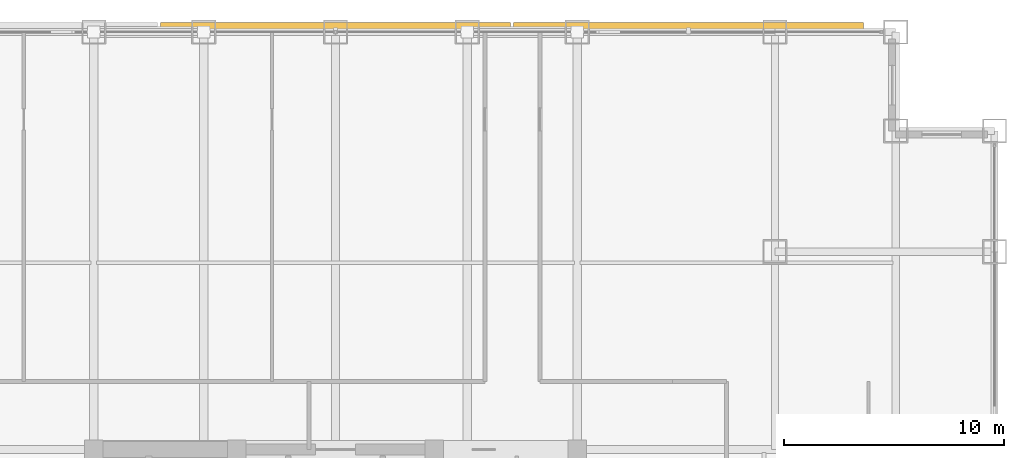
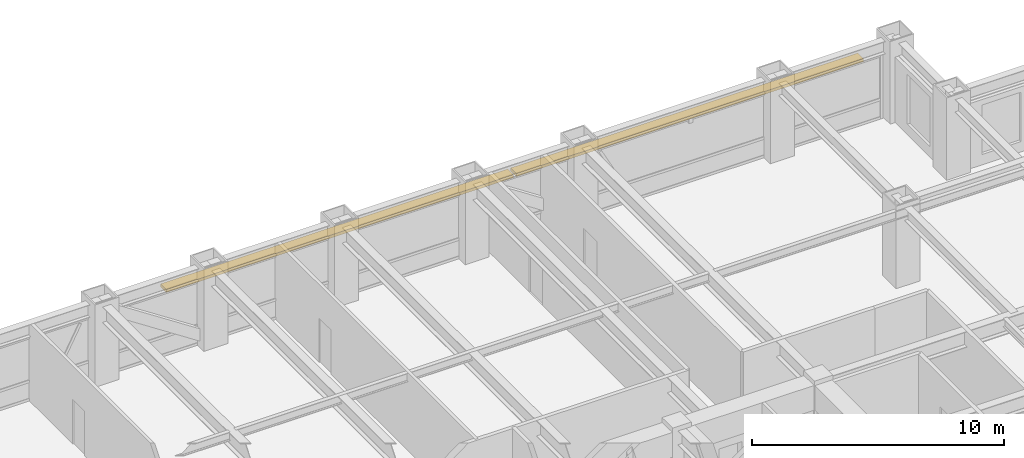
# One storey, part 28 of 28: 2 shading devices.
"""IFC4 building model written with IfcOpenShell, lengths in metres."""

from ifc_helpers import new_model, si_unit, direction, frame, origin, origin_2d, place, context, subcontext, project, spatial, rectangle, extrude, source, transform, mapped, material, layer, layer_set, type_object, element, save


model = new_model("IFC4")

# Units and contexts
model_context = context("Model", 3, precision=1e-05, world=origin(), true_north=direction((0.0, 1.0)))
body_context = subcontext(model_context, "Body", "Model", "MODEL_VIEW")
ifc_project = project(units=[si_unit("LENGTHUNIT", "METRE"), si_unit("AREAUNIT", "SQUARE_METRE"), si_unit("VOLUMEUNIT", "CUBIC_METRE"), si_unit("PLANEANGLEUNIT", "RADIAN"), si_unit("MASSUNIT", "GRAM", prefix="KILO")], contexts=[model_context])

# Site, building, storey
site_placement = place(None, origin())
site = spatial("IfcSite", under=ifc_project, at=site_placement, CompositionType="ELEMENT")
building_placement = place(site_placement, origin())
building = spatial("IfcBuilding", under=site, at=building_placement, Name="Khorayat Bourse Tower", CompositionType="ELEMENT")
storey_placement = place(building_placement, frame((0.0, 0.0, 183.10009765625)))
storey = spatial("IfcBuildingStorey", under=building, at=storey_placement, Name="L42", CompositionType="ELEMENT", Elevation=183.10009765625)

# Shading devices
ifc_material = material(Name="Precast concrete C45/55", Category="concrete")
ifc_layer = layer(ifc_material, 0.139892578125)
ifc_layer_set = layer_set([ifc_layer], Name="Precast concrete C45/55")
shading_device_type = type_object("IfcShadingDeviceType", Name="SHD-WAVE-TRAY-A", PredefinedType="USERDEFINED", material=ifc_layer_set)
shared_shape_1 = source(origin(), body_context, "Body", "SweptSolid", [
    extrude(rectangle(XDim=15.9267578125, YDim=0.458984375, at=origin_2d()), origin(), (0.0, 0.0, 1.0), 0.139892578125),
])
shading_device_1_placement = place(storey_placement, frame((0.0, 30.209716796875, 3.02978515625), z_axis=(0.0, 0.0, 1.0), x_axis=(1.0, 0.0, 0.0)))
element("IfcShadingDevice", 1, at=shading_device_1_placement, inside=storey, type_object=shading_device_type, Name="L42 Sinusoidal Wave Sunshade Tray N-2", ObjectType="SUNSHADE", PredefinedType="USERDEFINED", context=body_context, shape_type="MappedRepresentation", body=[
    mapped(shared_shape_1, transform((0.0, 0.0, 0.0), scale=1.0)),
])
shared_shape_2 = source(origin(), body_context, "Body", "SweptSolid", [
    extrude(rectangle(XDim=15.9267578125, YDim=0.461669921875, at=origin_2d()), origin(), (0.0, 0.0, 1.0), 0.139892578125),
])
shading_device_2_placement = place(storey_placement, frame((16.066650390625, 30.2109375, 3.02978515625), z_axis=(0.0, 0.0, 1.0), x_axis=(1.0, 0.0, 0.0)))
element("IfcShadingDevice", 2, at=shading_device_2_placement, inside=storey, type_object=shading_device_type, Name="L42 Sinusoidal Wave Sunshade Tray N-3", ObjectType="SUNSHADE", PredefinedType="USERDEFINED", context=body_context, shape_type="MappedRepresentation", body=[
    mapped(shared_shape_2, transform((0.0, 0.0, 0.0), scale=1.0)),
])

save(model, "model.ifc")
